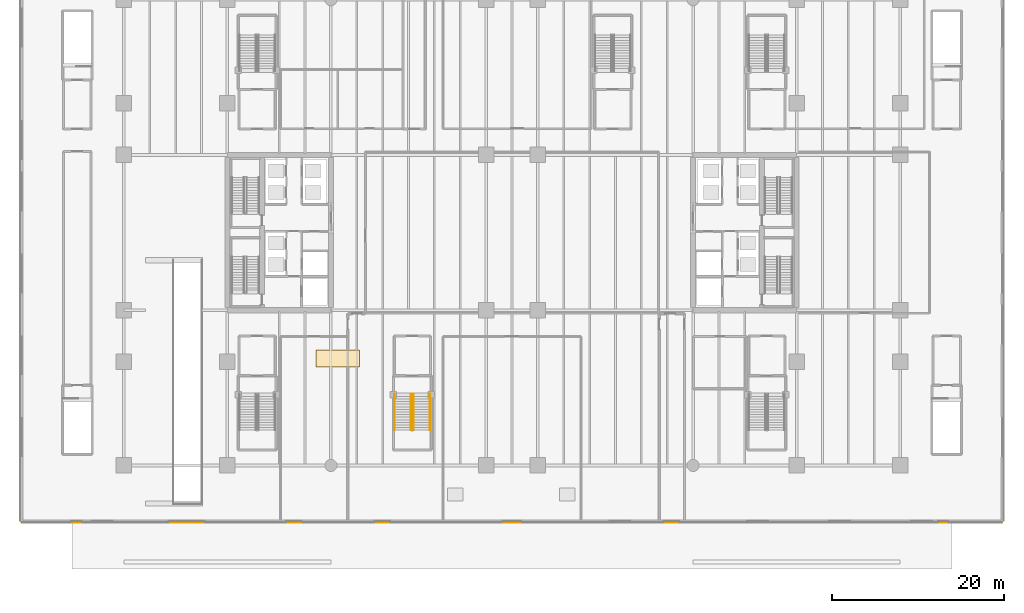
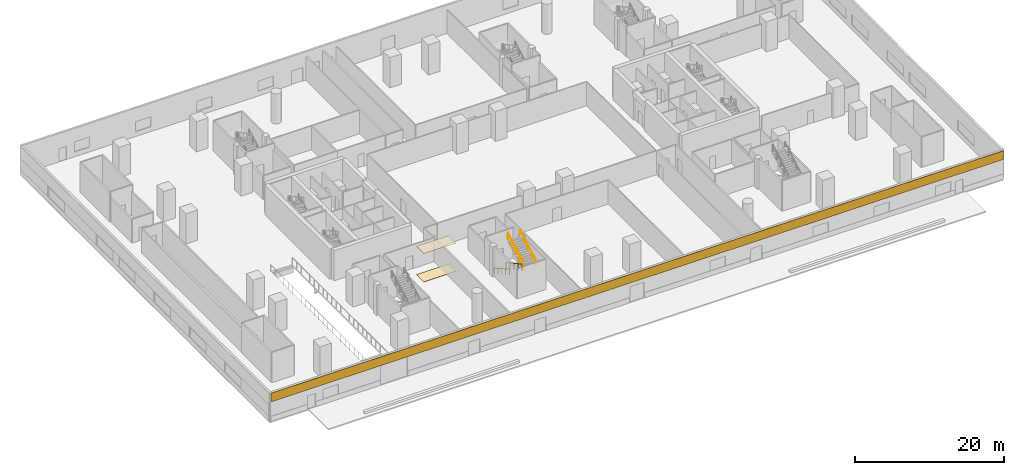
# One storey, part 17 of 25: 4 railings, 3 coverings.
"""IFC4 building model written with IfcOpenShell, lengths in metres."""

from ifc_helpers import new_model, si_unit, direction, frame, origin, origin_2d, place, context, subcontext, project, spatial, rectangle, extrude, material, layer, layer_set, type_object, element, save


model = new_model("IFC4")

# Units and contexts
model_context = context("Model", 3, precision=1e-05, world=origin(), true_north=direction((0.0, 1.0)))
body_context = subcontext(model_context, "Body", "Model", "MODEL_VIEW")
ifc_project = project(units=[si_unit("LENGTHUNIT", "METRE"), si_unit("AREAUNIT", "SQUARE_METRE"), si_unit("VOLUMEUNIT", "CUBIC_METRE"), si_unit("PLANEANGLEUNIT", "RADIAN"), si_unit("MASSUNIT", "GRAM", prefix="KILO")], contexts=[model_context])

# Site, building, storey
site_placement = place(None, origin())
site = spatial("IfcSite", under=ifc_project, at=site_placement, CompositionType="ELEMENT")
building_placement = place(site_placement, origin())
building = spatial("IfcBuilding", under=site, at=building_placement, Name="Tanjung Sevakor Pilgrim Tower", CompositionType="ELEMENT")
storey_placement = place(building_placement, origin())
storey = spatial("IfcBuildingStorey", under=building, at=storey_placement, Name="L01", CompositionType="ELEMENT", Elevation=0.0)

# Coverings
ifc_material_1 = material(Name="Acoustic Gypsum Board Ceiling", Category="gypsum board")
ifc_layer_1 = layer(ifc_material_1, 0.02490234375)
ifc_layer_set_1 = layer_set([ifc_layer_1], Name="COV-CEIL-ACOUSTIC")
covering_type_1 = type_object("IfcCoveringType", Name="COV-CEIL-ACOUSTIC", PredefinedType="CEILING", material=ifc_layer_set_1)
covering_1_placement = place(storey_placement, frame((36.800048828125, 19.0, 4.6455078125), z_axis=(0.0, 0.0, 1.0), x_axis=(1.0, 0.0, 0.0)))
element("IfcCovering", 1, at=covering_1_placement, inside=storey, type_object=covering_type_1, Name="L01 Acoustic Suspended Ceiling", PredefinedType="CEILING", context=body_context, shape_type="SweptSolid", body=[
    extrude(rectangle(XDim=5.0, YDim=2.0, at=origin_2d()), origin(), (0.0, 0.0, 1.0), 0.02490234375),
])
ifc_material_2 = material(Name="Reconstructed Limestone Cladding", Category="masonry")
ifc_layer_2 = layer(ifc_material_2, 0.044921875)
ifc_layer_set_2 = layer_set([ifc_layer_2], Name="COV-CLAD-LIMESTONE")
covering_type_2 = type_object("IfcCoveringType", Name="COV-CLAD-LIMESTONE", PredefinedType="CLADDING", material=ifc_layer_set_2)
covering_2_placement = place(storey_placement, frame((57.0, -0.0224609375, 3.22998046875), z_axis=(0.0, 0.0, 1.0), x_axis=(1.0, 0.0, 0.0)))
element("IfcCovering", 2, at=covering_2_placement, inside=storey, type_object=covering_type_2, Name="L01 Warm Limestone Cornice Spandrel EW-L01-MAIN-1", PredefinedType="CLADDING", context=body_context, shape_type="SweptSolid", body=[
    extrude(rectangle(XDim=113.659912109375, YDim=0.044921875, at=origin_2d()), origin(), (0.0, 0.0, 1.0), 1.429931640625),
])
ifc_material_3 = material(Name="Honed Limestone Terrazzo Flooring", Category="masonry")
ifc_layer_3 = layer(ifc_material_3, 0.030029296875)
ifc_layer_set_3 = layer_set([ifc_layer_3], Name="COV-FLOOR-TERRAZZO")
covering_type_3 = type_object("IfcCoveringType", Name="COV-FLOOR-TERRAZZO", PredefinedType="FLOORING", material=ifc_layer_set_3)
covering_3_placement = place(storey_placement, frame((36.800048828125, 19.0, 0.0), z_axis=(0.0, 0.0, 1.0), x_axis=(1.0, 0.0, 0.0)))
element("IfcCovering", 3, at=covering_3_placement, inside=storey, type_object=covering_type_3, Name="L01 Terrazzo Lobby Flooring", PredefinedType="FLOORING", context=body_context, shape_type="SweptSolid", body=[
    extrude(rectangle(XDim=5.0, YDim=2.0, at=origin_2d()), origin(), (0.0, 0.0, 1.0), 0.030029296875),
])

# Railings
ifc_material_4 = material(Name="Steel S355J2", Category="steel")
railing_type_1 = type_object("IfcRailingType", Name="RL-STAIR-GUARD", PredefinedType="GUARDRAIL", material=ifc_material_4)
railing_1_placement = place(storey_placement, frame((45.300048828125, 14.89990234375, 0.1650390625)))
element("IfcRailing", 4, at=railing_1_placement, inside=storey, type_object=railing_type_1, Name="L01 PS-3 stair guard 1", PredefinedType="GUARDRAIL", context=body_context, shape_type="SweptSolid", body=[
    extrude(rectangle(XDim=0.0479, YDim=0.0479), frame((0.0, 0.0, 1.076171875), z_axis=(0.0, -0.876208380975, 0.481932436249), x_axis=(1.0, 0.0, 0.0)), (0.0, 0.0, 1.0), 4.793212890625),
    extrude(rectangle(XDim=0.042, YDim=0.042), origin(), (0.0, 0.0, 1.0), 1.052001953125),
    extrude(rectangle(XDim=0.042, YDim=0.042), frame((0.0, -1.050048828125, 0.57763671875)), (0.0, 0.0, 1.0), 1.052001953125),
    extrude(rectangle(XDim=0.042, YDim=0.042), frame((0.0, -2.10009765625, 1.155029296875)), (0.0, 0.0, 1.0), 1.052001953125),
    extrude(rectangle(XDim=0.042, YDim=0.042), frame((0.0, -3.14990234375, 1.732421875)), (0.0, 0.0, 1.0), 1.052001953125),
    extrude(rectangle(XDim=0.042, YDim=0.042), frame((0.0, -4.199951171875, 2.31005859375)), (0.0, 0.0, 1.0), 1.052001953125),
])
railing_2_placement = place(storey_placement, frame((45.60009765625, 10.699951171875, 2.639892578125)))
element("IfcRailing", 5, at=railing_2_placement, inside=storey, type_object=railing_type_1, Name="L01 PS-3 stair guard 3", PredefinedType="GUARDRAIL", context=body_context, shape_type="SweptSolid", body=[
    extrude(rectangle(XDim=0.0479, YDim=0.0479), frame((0.0, 0.0, 1.076171875), z_axis=(0.0, 0.876208380975, 0.481932436249), x_axis=(-1.0, 0.0, 0.0)), (0.0, 0.0, 1.0), 4.793212890625),
    extrude(rectangle(XDim=0.042, YDim=0.042), origin(), (0.0, 0.0, 1.0), 1.052001953125),
    extrude(rectangle(XDim=0.042, YDim=0.042), frame((0.0, 1.050048828125, 0.57763671875)), (0.0, 0.0, 1.0), 1.052001953125),
    extrude(rectangle(XDim=0.042, YDim=0.042), frame((0.0, 2.10009765625, 1.155029296875)), (0.0, 0.0, 1.0), 1.052001953125),
    extrude(rectangle(XDim=0.042, YDim=0.042), frame((0.0, 3.14990234375, 1.732421875)), (0.0, 0.0, 1.0), 1.052001953125),
    extrude(rectangle(XDim=0.042, YDim=0.042), frame((0.0, 4.199951171875, 2.31005859375)), (0.0, 0.0, 1.0), 1.052001953125),
])
ifc_material_5 = material(Name="Steel S355J2", Category="steel")
railing_type_2 = type_object("IfcRailingType", Name="RL-STAIR-HAND", PredefinedType="HANDRAIL", material=ifc_material_5)
railing_3_placement = place(storey_placement, frame((43.39990234375, 14.89990234375, 0.1650390625)))
element("IfcRailing", 6, at=railing_3_placement, inside=storey, type_object=railing_type_2, Name="L01 PS-3 stair handrail 1", PredefinedType="HANDRAIL", context=body_context, shape_type="SweptSolid", body=[
    extrude(rectangle(XDim=0.0479, YDim=0.0479), frame((0.0, 0.0, 0.8759765625), z_axis=(0.0, -0.876208380975, 0.481932436249), x_axis=(1.0, 0.0, 0.0)), (0.0, 0.0, 1.0), 4.793212890625),
    extrude(rectangle(XDim=0.042, YDim=0.042), origin(), (0.0, 0.0, 1.0), 0.851806640625),
    extrude(rectangle(XDim=0.042, YDim=0.042), frame((0.0, -1.050048828125, 0.57763671875)), (0.0, 0.0, 1.0), 0.851806640625),
    extrude(rectangle(XDim=0.042, YDim=0.042), frame((0.0, -2.10009765625, 1.155029296875)), (0.0, 0.0, 1.0), 0.851806640625),
    extrude(rectangle(XDim=0.042, YDim=0.042), frame((0.0, -3.14990234375, 1.732421875)), (0.0, 0.0, 1.0), 0.851806640625),
    extrude(rectangle(XDim=0.042, YDim=0.042), frame((0.0, -4.199951171875, 2.31005859375)), (0.0, 0.0, 1.0), 0.851806640625),
])
railing_4_placement = place(storey_placement, frame((47.5, 10.699951171875, 2.639892578125)))
element("IfcRailing", 7, at=railing_4_placement, inside=storey, type_object=railing_type_2, Name="L01 PS-3 stair handrail 2", PredefinedType="HANDRAIL", context=body_context, shape_type="SweptSolid", body=[
    extrude(rectangle(XDim=0.0479, YDim=0.0479), frame((0.0, 0.0, 0.8759765625), z_axis=(0.0, 0.876208380975, 0.481932436249), x_axis=(-1.0, 0.0, 0.0)), (0.0, 0.0, 1.0), 4.793212890625),
    extrude(rectangle(XDim=0.042, YDim=0.042), origin(), (0.0, 0.0, 1.0), 0.851806640625),
    extrude(rectangle(XDim=0.042, YDim=0.042), frame((0.0, 1.050048828125, 0.57763671875)), (0.0, 0.0, 1.0), 0.851806640625),
    extrude(rectangle(XDim=0.042, YDim=0.042), frame((0.0, 2.10009765625, 1.155029296875)), (0.0, 0.0, 1.0), 0.851806640625),
    extrude(rectangle(XDim=0.042, YDim=0.042), frame((0.0, 3.14990234375, 1.732421875)), (0.0, 0.0, 1.0), 0.851806640625),
    extrude(rectangle(XDim=0.042, YDim=0.042), frame((0.0, 4.199951171875, 2.31005859375)), (0.0, 0.0, 1.0), 0.851806640625),
])

save(model, "model.ifc")
